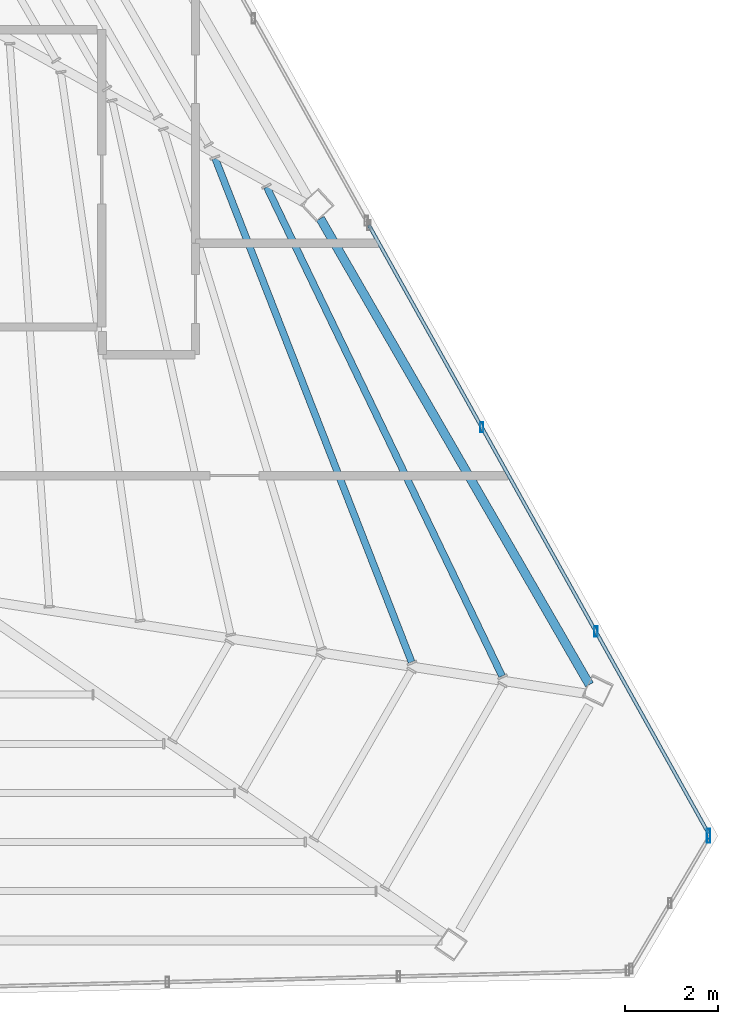
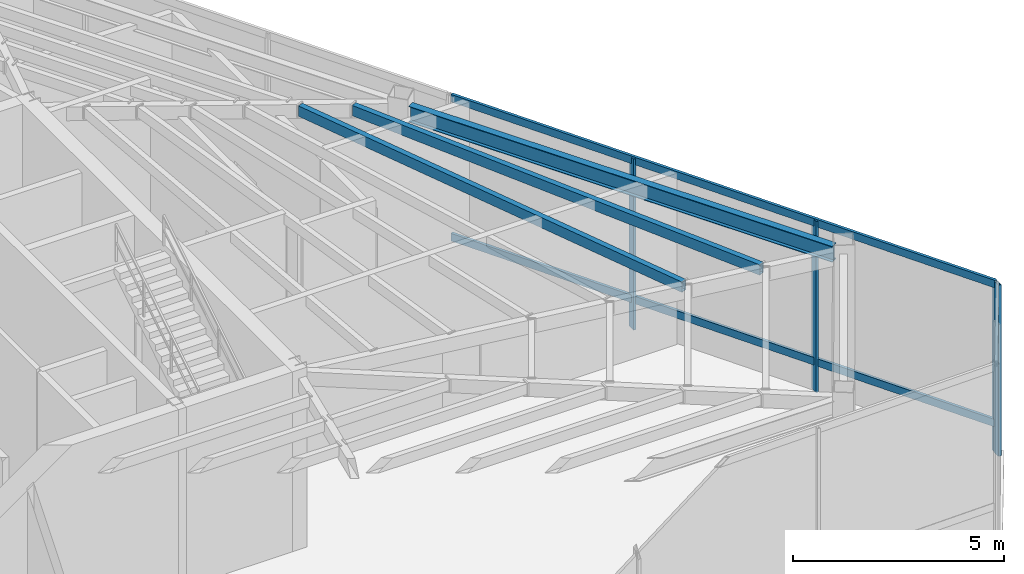
# One storey, part 14 of 25: 6 members, 3 beams, 2 elements without a shape of their own.
"""IFC4 building model written with IfcOpenShell, lengths in metres."""

from ifc_helpers import new_model, si_unit, direction, frame, origin, origin_2d, place, context, subcontext, project, spatial, hollow_rectangle, i_section, extrude, source, transform, mapped, material, material_profile, profile_set, type_object, type_shapes, element, aggregate, save


model = new_model("IFC4")

# Units and contexts
model_context = context("Model", 3, precision=1e-05, world=origin(), true_north=direction((0.0, 1.0)))
body_context = subcontext(model_context, "Body", "Model", "MODEL_VIEW")
ifc_project = project(units=[si_unit("LENGTHUNIT", "METRE"), si_unit("AREAUNIT", "SQUARE_METRE"), si_unit("VOLUMEUNIT", "CUBIC_METRE"), si_unit("PLANEANGLEUNIT", "RADIAN"), si_unit("MASSUNIT", "GRAM", prefix="KILO")], contexts=[model_context])

# Site, building, storey
site_placement = place(None, origin())
site = spatial("IfcSite", under=ifc_project, at=site_placement, CompositionType="ELEMENT")
building_placement = place(site_placement, origin())
building = spatial("IfcBuilding", under=site, at=building_placement, Name="Caelisora Broadcast Tower", CompositionType="ELEMENT")
storey_placement = place(building_placement, frame((0.0, 0.0, 284.60009765625)))
storey = spatial("IfcBuildingStorey", under=building, at=storey_placement, Name="L75", CompositionType="ELEMENT", Elevation=284.60009765625)

# Beams
ifc_material_1 = material(Name="Steel Grade 350 (AS/NZS 3679.1)", Category="steel")
ifc_material_profile_1 = material_profile(ifc_material_1, i_section(OverallWidth=0.19091796875, OverallDepth=0.46044921875, WebThickness=0.010009765625, FlangeThickness=0.01611328125, at=origin_2d()), Name="Steel Grade 350 (AS/NZS 3679.1)")
ifc_profile_set_1 = profile_set([ifc_material_profile_1], Name="Steel Grade 350 (AS/NZS 3679.1)")
beam_type_1 = type_object("IfcBeamType", Name="PG06", PredefinedType="BEAM", material=ifc_profile_set_1)
shared_shape_1 = source(origin(), body_context, "Body", "SweptSolid", [
    extrude(i_section(OverallWidth=0.19091796875, OverallDepth=0.46044921875, WebThickness=0.010009765625, FlangeThickness=0.01611328125, at=origin_2d()), origin(), (0.0, 0.0, 1.0), 11.5888671875),
])
type_shapes(beam_type_1, [shared_shape_1])
beam_1_placement = place(storey_placement, frame((59.081787109375, 15.498291015625, 4.7197265625), z_axis=(-0.499995382986, 0.866028069402, 0.0), x_axis=(-0.866028069402, -0.499995382986, 0.0)))
element("IfcBeam", 1, at=beam_1_placement, inside=storey, type_object=beam_type_1, Name="L75 beam PG06", PredefinedType="BEAM", context=body_context, shape_type="MappedRepresentation", body=[
    mapped(shared_shape_1, transform((0.0, 0.0, 0.0), scale=1.0)),
])
ifc_material_2 = material(Name="Steel Grade 350 (AS/NZS 1163 C350L0)", Category="steel")
ifc_material_profile_2 = material_profile(ifc_material_2, hollow_rectangle(XDim=0.14990234375, YDim=0.300048828125, WallThickness=0.010009765625, at=origin_2d()), Name="Steel Grade 350 (AS/NZS 1163 C350L0)")
ifc_profile_set_2 = profile_set([ifc_material_profile_2], Name="Steel Grade 350 (AS/NZS 1163 C350L0)")
beam_type_2 = type_object("IfcBeamType", Name="SB05", PredefinedType="JOIST", material=ifc_profile_set_2)
shared_shape_2 = source(origin(), body_context, "Body", "SweptSolid", [
    extrude(hollow_rectangle(XDim=0.14990234375, YDim=0.300048828125, WallThickness=0.010009765625, at=origin_2d()), origin(), (0.0, 0.0, 1.0), 11.68359375),
])
beam_2_placement = place(storey_placement, frame((57.20166015625, 15.68359375, 4.7998046875), z_axis=(-0.43348700188, 0.901159818901, 0.0), x_axis=(-0.901159818901, -0.43348700188, 0.0)))
element("IfcBeam", 2, at=beam_2_placement, inside=storey, type_object=beam_type_2, Name="L75 beam SB05", PredefinedType="JOIST", context=body_context, shape_type="MappedRepresentation", body=[
    mapped(shared_shape_2, transform((0.0, 0.0, 0.0), scale=1.0)),
])
shared_shape_3 = source(origin(), body_context, "Body", "SweptSolid", [
    extrude(hollow_rectangle(XDim=0.14990234375, YDim=0.300048828125, WallThickness=0.010009765625, at=origin_2d()), origin(), (0.0, 0.0, 1.0), 11.637939453125),
])
type_shapes(beam_type_2, [shared_shape_2, shared_shape_3])
beam_3_placement = place(storey_placement, frame((55.253173828125, 15.985595703125, 4.7998046875), z_axis=(-0.363278267899, 0.931680685682, 0.0), x_axis=(-0.931680685682, -0.363278267899, 0.0)))
element("IfcBeam", 3, at=beam_3_placement, inside=storey, type_object=beam_type_2, Name="L75 beam SB05", PredefinedType="JOIST", context=body_context, shape_type="MappedRepresentation", body=[
    mapped(shared_shape_3, transform((0.0, 0.0, 0.0), scale=1.0)),
])

# Curtain wall, members
ifc_material_3 = material(Name="Unitised Aluminium and Low-E Glass Curtain Wall", Category="glass")
curtain_wall_type = type_object("IfcCurtainWallType", Name="CW-TMD", PredefinedType="NOTDEFINED", material=ifc_material_3)
curtain_wall_1_placement = place(storey_placement, origin())
curtain_wall_1 = element("IfcCurtainWall", 4, at=curtain_wall_1_placement, inside=storey, type_object=curtain_wall_type, Name="L75 curtain wall CW-TMD", PredefinedType="NOTDEFINED")
ifc_material_4 = material(Name="Aluminium 6063-T6 Anodised Terracotta Bronze", Category="aluminium")
ifc_material_profile_3 = material_profile(ifc_material_4, hollow_rectangle(XDim=0.074951171875, YDim=0.219970703125, WallThickness=0.00390625, at=origin_2d()), Name="Aluminium 6063-T6 Anodised Terracotta Bronze")
ifc_profile_set_3 = profile_set([ifc_material_profile_3], Name="Aluminium 6063-T6 Anodised Terracotta Bronze")
member_type_1 = type_object("IfcMemberType", Name="CWM-01", PredefinedType="MULLION", material=ifc_profile_set_3)
shared_shape_4 = source(origin(), body_context, "Body", "SweptSolid", [
    extrude(hollow_rectangle(XDim=0.074951171875, YDim=0.219970703125, WallThickness=0.00390625, at=origin_2d()), origin(), (0.0, 0.0, 1.0), 4.949951171875),
])
type_shapes(member_type_1, [shared_shape_4])
member_1_placement = place(storey_placement, frame((56.763916015625, 21.039306640625, 0.0), z_axis=(0.0, 0.0, 1.0), x_axis=(1.0, 0.0, 0.0)))
member_1 = element("IfcMember", 5, at=member_1_placement, type_object=member_type_1, Name="L75-CW-B03 mullion #1", PredefinedType="MULLION", context=body_context, shape_type="MappedRepresentation", body=[
    mapped(shared_shape_4, transform((0.0, 0.0, 0.0), scale=1.0)),
])
member_2_placement = place(storey_placement, frame((59.218994140625, 16.642578125, 0.0), z_axis=(0.0, 0.0, 1.0), x_axis=(1.0, 0.0, 0.0)))
member_2 = element("IfcMember", 6, at=member_2_placement, type_object=member_type_1, Name="L75-CW-B03 mullion #2", PredefinedType="MULLION", context=body_context, shape_type="MappedRepresentation", body=[
    mapped(shared_shape_4, transform((0.0, 0.0, 0.0), scale=1.0)),
])
member_3_placement = place(storey_placement, frame((61.649658203125, 12.289794921875, 0.0), z_axis=(0.0, 0.0, 1.0), x_axis=(1.0, 0.0, 0.0)))
member_3 = element("IfcMember", 7, at=member_3_placement, type_object=member_type_1, Name="L75-CW-B03 mullion #3", PredefinedType="MULLION", context=body_context, shape_type="MappedRepresentation", body=[
    mapped(shared_shape_4, transform((0.0, 0.0, 0.0), scale=1.0)),
])

# Curtain wall, member
curtain_wall_2_placement = place(storey_placement, origin())
curtain_wall_2 = element("IfcCurtainWall", 8, at=curtain_wall_2_placement, inside=storey, type_object=curtain_wall_type, Name="L75 curtain wall CW-TMD", PredefinedType="NOTDEFINED")
member_4_placement = place(storey_placement, frame((61.648681640625, 12.202880859375, 0.0), z_axis=(0.0, 0.0, 1.0), x_axis=(1.0, 0.0, 0.0)))
member_4 = element("IfcMember", 9, at=member_4_placement, type_object=member_type_1, Name="L75-CW-B00 mullion #0", PredefinedType="MULLION", context=body_context, shape_type="MappedRepresentation", body=[
    mapped(shared_shape_4, transform((0.0, 0.0, 0.0), scale=1.0)),
])
aggregate(curtain_wall_2, [member_4])

# Member
ifc_material_profile_4 = material_profile(ifc_material_4, hollow_rectangle(XDim=0.074951171875, YDim=0.219970703125, WallThickness=0.00390625, at=origin_2d()), Name="Aluminium 6063-T6 Anodised Terracotta Bronze")
ifc_profile_set_4 = profile_set([ifc_material_profile_4], Name="Aluminium 6063-T6 Anodised Terracotta Bronze")
member_type_2 = type_object("IfcMemberType", Name="CWT-04", PredefinedType="USERDEFINED", material=ifc_profile_set_4)
shared_shape_5 = source(origin(), body_context, "Body", "SweptSolid", [
    extrude(hollow_rectangle(XDim=0.074951171875, YDim=0.219970703125, WallThickness=0.00390625, at=origin_2d()), origin(), (0.0, 0.0, 1.0), 15.007080078125),
])
type_shapes(member_type_2, [shared_shape_5])
member_5_placement = place(storey_placement, frame((54.3330078125, 25.392333984375, 0.849853515625), z_axis=(0.487549327989, -0.873095443109, 0.0), x_axis=(0.873095443109, 0.487549327989, 0.0)))
member_5 = element("IfcMember", 10, at=member_5_placement, type_object=member_type_2, Name="L75-CW-B03 transom #1", ObjectType="TRANSOM", PredefinedType="USERDEFINED", context=body_context, shape_type="MappedRepresentation", body=[
    mapped(shared_shape_5, transform((0.0, 0.0, 0.0), scale=1.0)),
])

member_6_placement = place(storey_placement, frame((54.3330078125, 25.392333984375, 4.869873046875), z_axis=(0.487549327989, -0.873095443109, 0.0), x_axis=(0.873095443109, 0.487549327989, 0.0)))
member_6 = element("IfcMember", 11, at=member_6_placement, type_object=member_type_2, Name="L75-CW-B03 transom #2", ObjectType="TRANSOM", PredefinedType="USERDEFINED", context=body_context, shape_type="MappedRepresentation", body=[
    mapped(shared_shape_5, transform((0.0, 0.0, 0.0), scale=1.0)),
])

aggregate(curtain_wall_1, [member_1, member_2, member_3, member_5, member_6])

save(model, "model.ifc")
